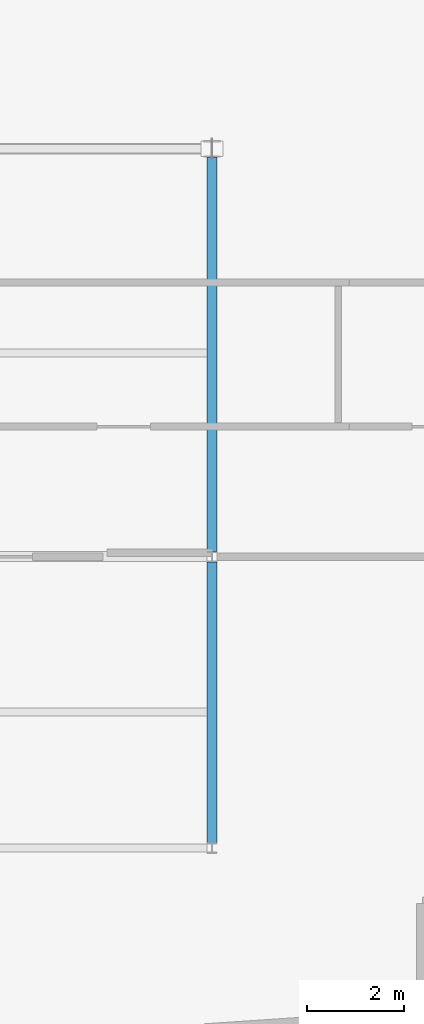
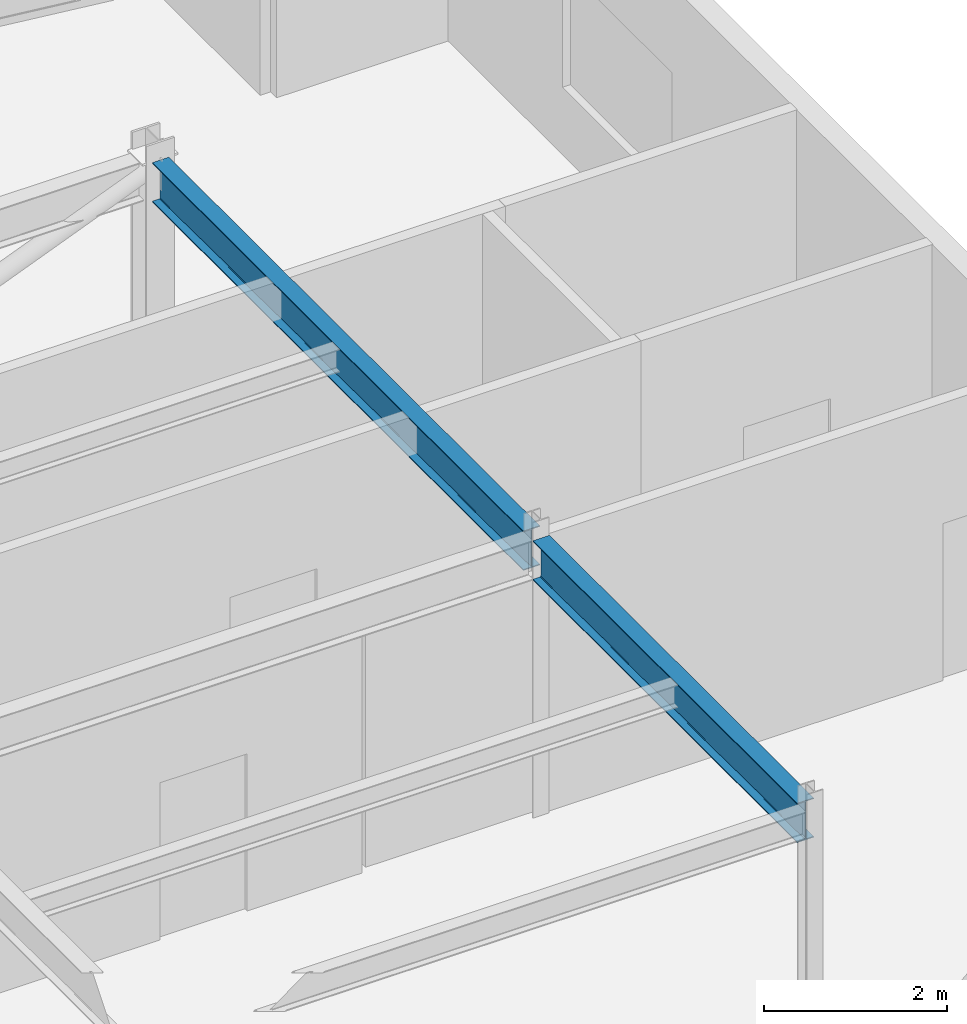
# One storey, part 7 of 16: 2 beams.
"""IFC4 building model written with IfcOpenShell, lengths in metres."""

from ifc_helpers import new_model, si_unit, direction, frame, origin, origin_2d, place, context, subcontext, project, spatial, i_section, extrude, material, material_profile, profile_set, type_object, element, save


model = new_model("IFC4")

# Units and contexts
model_context = context("Model", 3, precision=1e-05, world=origin(), true_north=direction((0.0, 1.0)))
body_context = subcontext(model_context, "Body", "Model", "MODEL_VIEW")
ifc_project = project(units=[si_unit("LENGTHUNIT", "METRE"), si_unit("AREAUNIT", "SQUARE_METRE"), si_unit("VOLUMEUNIT", "CUBIC_METRE"), si_unit("PLANEANGLEUNIT", "RADIAN"), si_unit("MASSUNIT", "GRAM", prefix="KILO")], contexts=[model_context])

# Site, building, storey
site_placement = place(None, origin())
site = spatial("IfcSite", under=ifc_project, at=site_placement, CompositionType="ELEMENT")
building_placement = place(site_placement, origin())
building = spatial("IfcBuilding", under=site, at=building_placement, Name="Varnakote Quay Hospital", CompositionType="ELEMENT")
storey_placement = place(building_placement, frame((0.0, 0.0, 288.14990234375)))
storey = spatial("IfcBuildingStorey", under=building, at=storey_placement, Name="L71", CompositionType="ELEMENT", Elevation=288.14990234375)

# Beams
ifc_material = material(Name="Structural steel AS/NZS 3679.1 Grade 350 L0 (fy 340 MPa)", Category="steel")
ifc_material_profile = material_profile(ifc_material, i_section(OverallWidth=0.208984375, OverallDepth=0.528076171875, WebThickness=0.009521484375, FlangeThickness=0.01318359375, FilletRadius=0.013916015625, at=origin_2d()), Name="530UB82.0")
ifc_profile_set = profile_set([ifc_material_profile], Name="Structural steel AS/NZS 3679.1 Grade 350 L0 (fy 340 MPa)")
beam_type = type_object("IfcBeamType", Name="BM-STL-530UB82-0", PredefinedType="BEAM", material=ifc_profile_set)
beam_1_placement = place(storey_placement, frame((33.60009765625, 6.10498046875, 3.446044921875), z_axis=(0.0, 1.0, 0.0), x_axis=(-1.0, 0.0, 0.0)))
element("IfcBeam", 1, at=beam_1_placement, inside=storey, type_object=beam_type, Name="L71 Primary Tie Beam", PredefinedType="BEAM", context=body_context, shape_type="SweptSolid", body=[
    extrude(i_section(OverallWidth=0.208984375, OverallDepth=0.528076171875, WebThickness=0.009521484375, FlangeThickness=0.01318359375, FilletRadius=0.013916015625, at=origin_2d()), origin(), (0.0, 0.0, 1.0), 5.7900390625),
])
beam_2_placement = place(storey_placement, frame((33.60009765625, 12.10498046875, 3.446044921875), z_axis=(0.0, 1.0, 0.0), x_axis=(-1.0, 0.0, 0.0)))
element("IfcBeam", 2, at=beam_2_placement, inside=storey, type_object=beam_type, Name="L71 Primary Tie Beam", PredefinedType="BEAM", context=body_context, shape_type="SweptSolid", body=[
    extrude(i_section(OverallWidth=0.208984375, OverallDepth=0.528076171875, WebThickness=0.009521484375, FlangeThickness=0.01318359375, FilletRadius=0.013916015625, at=origin_2d()), origin(), (0.0, 0.0, 1.0), 8.125),
])

save(model, "model.ifc")
